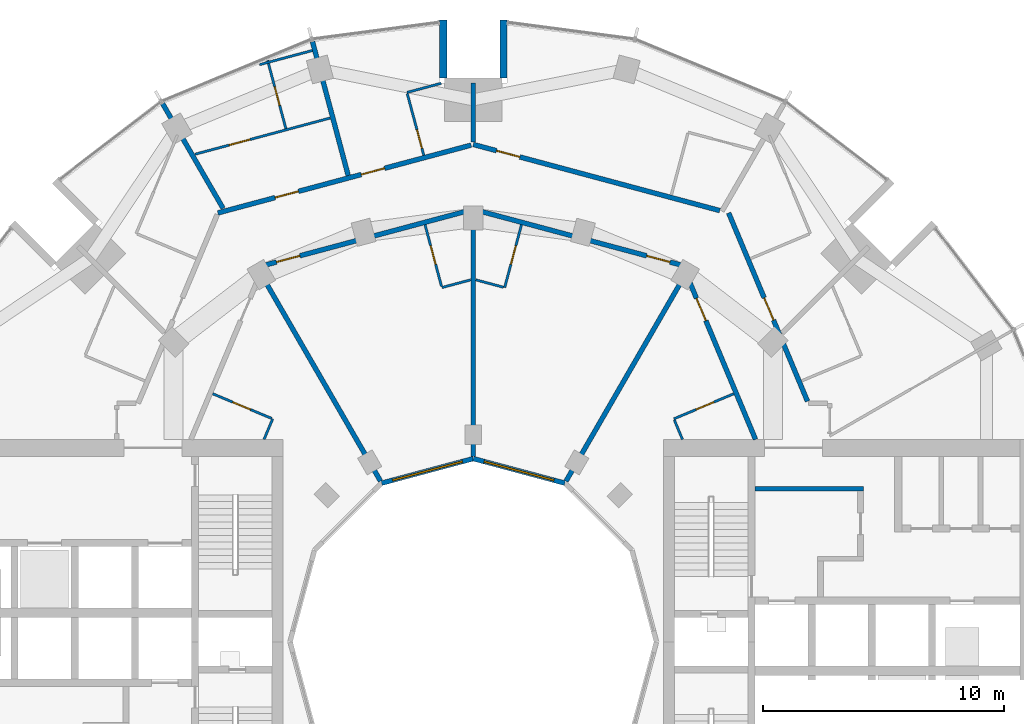
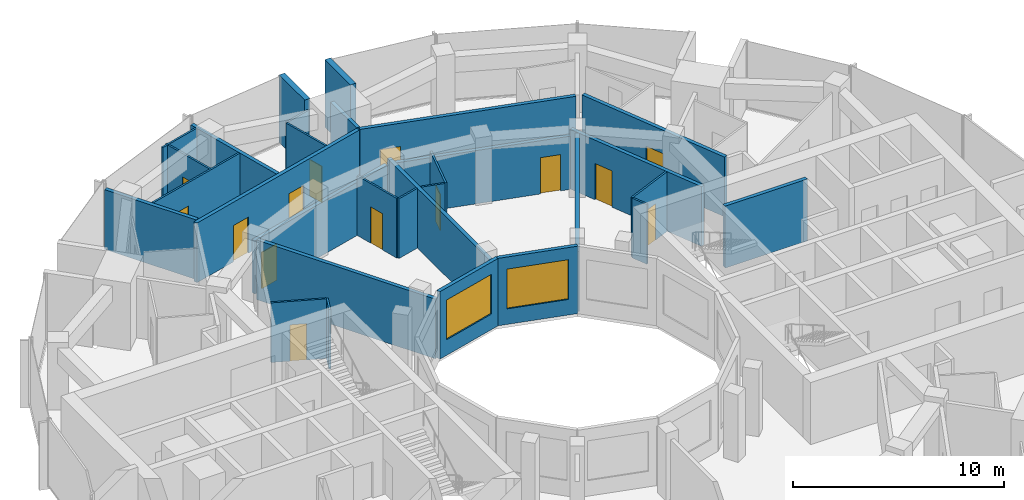
# One storey, part 12 of 15: 30 walls, 14 doors, 2 windows, 16 openings.
"""IFC4 building model written with IfcOpenShell, lengths in metres."""

from ifc_helpers import new_model, si_unit, direction, frame, frame_2d, origin, place, context, subcontext, project, spatial, rectangle, extrude, material, layer, layer_set, type_object, element, fill, save


model = new_model("IFC4")

# Units and contexts
model_context = context("Model", 3, precision=1e-05, world=origin(), true_north=direction((0.0, 1.0)))
body_context = subcontext(model_context, "Body", "Model", "MODEL_VIEW")
ifc_project = project(units=[si_unit("LENGTHUNIT", "METRE"), si_unit("AREAUNIT", "SQUARE_METRE"), si_unit("VOLUMEUNIT", "CUBIC_METRE"), si_unit("PLANEANGLEUNIT", "RADIAN"), si_unit("MASSUNIT", "GRAM", prefix="KILO")], contexts=[model_context])

# Site, building, storey
site_placement = place(None, origin())
site = spatial("IfcSite", under=ifc_project, at=site_placement, CompositionType="ELEMENT")
building_placement = place(site_placement, origin())
building = spatial("IfcBuilding", under=site, at=building_placement, Name="Torre Brocal", CompositionType="ELEMENT")
storey_placement = place(building_placement, frame((0.0, 0.0, 126.300048828125)))
storey = spatial("IfcBuildingStorey", under=building, at=storey_placement, Name="L29", CompositionType="ELEMENT", Elevation=126.300048828125)

# Walls
ifc_material_1 = material(Name="Concrete C70", Category="concrete")
ifc_layer_1 = layer(ifc_material_1, 0.199951171875)
ifc_layer_set_1 = layer_set([ifc_layer_1], Name="Concrete C70")
wall_type_1 = type_object("IfcWallType", Name="CORE WALL 200 C70", PredefinedType="SHEAR", material=ifc_layer_set_1)
wall_1_placement = place(storey_placement, frame((91.699951171875, 81.35009765625, 0.0), z_axis=(0.0, 0.0, 1.0), x_axis=(1.0, 0.0, 0.0)))
element("IfcWall", 1, at=wall_1_placement, inside=storey, type_object=wall_type_1, Name="Wall CW200-70", PredefinedType="SHEAR", context=body_context, shape_type="SweptSolid", body=[
    extrude(rectangle(XDim=4.5, YDim=0.199951171875, at=frame_2d((2.25, 0.0))), origin(), (0.0, 0.0, 1.0), 3.579833984375),
])
ifc_material_2 = material(Name="Concrete C70", Category="concrete")
ifc_layer_2 = layer(ifc_material_2, 0.300048828125)
ifc_layer_set_2 = layer_set([ifc_layer_2], Name="Concrete C70")
wall_type_2 = type_object("IfcWallType", Name="NOTCH RETURN WALL 300 C70", PredefinedType="NOTDEFINED", material=ifc_layer_set_2)
for number, where, z_axis, x_axis, name in (
    (2, (81.25, 98.39990234375, 0.0), (0.0, 0.0, 1.0), (0.0, 1.0, 0.0), "NOTCH RETURN WALL"),
    (3, (78.75, 98.39990234375, 0.0), (0.0, 0.0, 1.0), (0.0, 1.0, 0.0), "NOTCH RETURN WALL"),
):
    element("IfcWall", number, at=place(storey_placement, frame(where, z_axis=z_axis, x_axis=x_axis)), inside=storey, type_object=wall_type_2, Name=name, PredefinedType="NOTDEFINED", context=body_context, shape_type="SweptSolid", body=[
        extrude(rectangle(XDim=2.415771484375, YDim=0.300048828125, at=frame_2d((1.2080078125, 0.0))), origin(), (0.0, 0.0, 1.0), 3.89990234375),
    ])

# Wall, opening, door
ifc_material_3 = material(Name="Gypsum board", Category="Gypsum")
ifc_layer_3 = layer(ifc_material_3, 0.10009765625)
ifc_layer_set_3 = layer_set([ifc_layer_3], Name="Gypsum board")
wall_type_3 = type_object("IfcWallType", Name="PARTITION 100", PredefinedType="PARTITIONING", material=ifc_layer_set_3)
wall_2_placement = place(storey_placement, frame((68.447021484375, 95.2421875, 0.0), z_axis=(0.0, 0.0, 1.0), x_axis=(0.965958178477, 0.258698274894, 0.0)))
wall_2 = element("IfcWall", 4, at=wall_2_placement, inside=storey, type_object=wall_type_3, Name="BATHROOM WALL", PredefinedType="PARTITIONING", context=body_context, shape_type="SweptSolid", body=[
    extrude(rectangle(XDim=5.8095703125, YDim=0.10009765625, at=frame_2d((2.90478515625, 0.0))), origin(), (0.0, 0.0, 1.0), 3.449951171875),
])
opening_1_placement = place(wall_2_placement, frame((1.459716796875, 0.0, 0.0)))
opening_1 = element("IfcOpeningElement", 5, at=opening_1_placement, cuts=wall_2, Name="Opening E02-D11", PredefinedType="OPENING", context=body_context, shape_type="SweptSolid", body=[
    extrude(rectangle(XDim=0.89990234375, YDim=2.10009765625, at=frame_2d((0.449951171875, 1.050048828125))), frame((0.0, 0.06005859375, 0.0), z_axis=(0.0, -1.0, 0.0), x_axis=(1.0, 0.0, 0.0)), (0.0, 0.0, 1.0), 0.1201171875),
])
ifc_material_4 = material(Name="Timber", Category="wood")
door_type_1 = type_object("IfcDoorType", Name="ROOM DOOR 900X2100", OperationType="SINGLE_SWING_LEFT", PredefinedType="DOOR", material=ifc_material_4)
door_1_placement = place(opening_1_placement, origin())
door_1 = element("IfcDoor", 6, at=door_1_placement, inside=storey, type_object=door_type_1, Name="E02-D11", OperationType="SINGLE_SWING_RIGHT", OverallHeight=2.10009765625, OverallWidth=0.89990234375, PredefinedType="DOOR", context=body_context, shape_type="SweptSolid", body=[
    extrude(rectangle(XDim=0.89990234375, YDim=2.10009765625, at=frame_2d((0.449951171875, 1.050048828125))), frame((0.0, 0.02490234375, 0.0), z_axis=(0.0, -1.0, 0.0), x_axis=(1.0, 0.0, 0.0)), (0.0, 0.0, 1.0), 0.050048828125),
])
fill(opening_1, door_1)

wall_3_placement = place(storey_placement, frame((69.1806640625, 85.298095703125, 0.0), z_axis=(0.0, 0.0, 1.0), x_axis=(0.922377635784, -0.38628939541, 0.0)))
wall_3 = element("IfcWall", 7, at=wall_3_placement, inside=storey, type_object=wall_type_3, Name="BATHROOM WALL", PredefinedType="PARTITIONING", context=body_context, shape_type="SweptSolid", body=[
    extrude(rectangle(XDim=2.650146484375, YDim=0.10009765625, at=frame_2d((1.3251953125, 0.0))), origin(), (0.0, 0.0, 1.0), 3.449951171875),
])
opening_2_placement = place(wall_3_placement, frame((0.89990234375, 0.0, 0.0)))
opening_2 = element("IfcOpeningElement", 8, at=opening_2_placement, cuts=wall_3, Name="Opening E02-D24", PredefinedType="OPENING", context=body_context, shape_type="SweptSolid", body=[
    extrude(rectangle(XDim=0.800048828125, YDim=2.10009765625, at=frame_2d((0.39990234375, 1.050048828125))), frame((0.0, 0.06005859375, 0.0), z_axis=(0.0, -1.0, 0.0), x_axis=(1.0, 0.0, 0.0)), (0.0, 0.0, 1.0), 0.1201171875),
])
ifc_material_5 = material(Name="Timber", Category="wood")
door_type_2 = type_object("IfcDoorType", Name="BATHROOM DOOR 800X2100", OperationType="SINGLE_SWING_LEFT", PredefinedType="DOOR", material=ifc_material_5)
door_2_placement = place(opening_2_placement, frame((0.800048828125, 0.0, 0.0), z_axis=(0.0, 0.0, 1.0), x_axis=(-1.0, 0.0, 0.0)))
door_2 = element("IfcDoor", 9, at=door_2_placement, inside=storey, type_object=door_type_2, Name="E02-D24", OperationType="SINGLE_SWING_RIGHT", OverallHeight=2.10009765625, OverallWidth=0.800048828125, PredefinedType="DOOR", context=body_context, shape_type="SweptSolid", body=[
    extrude(rectangle(XDim=0.800048828125, YDim=2.10009765625, at=frame_2d((0.39990234375, 1.050048828125))), frame((0.0, 0.02490234375, 0.0), z_axis=(0.0, -1.0, 0.0), x_axis=(1.0, 0.0, 0.0)), (0.0, 0.0, 1.0), 0.050048828125),
])
fill(opening_2, door_2)

# Wall
wall_4_placement = place(storey_placement, frame((71.31298828125, 83.39990234375, 0.0), z_axis=(0.0, 0.0, 1.0), x_axis=(0.386148512695, 0.922436624459, 0.0)))
element("IfcWall", 10, at=wall_4_placement, inside=storey, type_object=wall_type_3, Name="BATHROOM WALL", PredefinedType="PARTITIONING", context=body_context, shape_type="SweptSolid", body=[
    extrude(rectangle(XDim=0.9267578125, YDim=0.10009765625, at=frame_2d((0.46337890625, 0.0))), origin(), (0.0, 0.0, 1.0), 3.449951171875),
])

# Wall, opening, door
wall_5_placement = place(storey_placement, frame((71.459228515625, 99.14697265625, 0.0), z_axis=(0.0, 0.0, 1.0), x_axis=(0.258550824249, -0.965997655939, 0.0)))
wall_5 = element("IfcWall", 11, at=wall_5_placement, inside=storey, type_object=wall_type_3, Name="BATHROOM WALL", PredefinedType="PARTITIONING", context=body_context, shape_type="SweptSolid", body=[
    extrude(rectangle(XDim=2.9423828125, YDim=0.10009765625, at=frame_2d((1.47119140625, 0.0))), origin(), (0.0, 0.0, 1.0), 3.449951171875),
])
opening_3_placement = place(wall_5_placement, frame((1.142578125, 0.0, 0.0)))
opening_3 = element("IfcOpeningElement", 12, at=opening_3_placement, cuts=wall_5, Name="Opening E02-D12", PredefinedType="OPENING", context=body_context, shape_type="SweptSolid", body=[
    extrude(rectangle(XDim=0.800048828125, YDim=2.10009765625, at=frame_2d((0.39990234375, 1.050048828125))), frame((0.0, 0.06005859375, 0.0), z_axis=(0.0, -1.0, 0.0), x_axis=(1.0, 0.0, 0.0)), (0.0, 0.0, 1.0), 0.1201171875),
])
door_3_placement = place(opening_3_placement, origin())
door_3 = element("IfcDoor", 13, at=door_3_placement, inside=storey, type_object=door_type_2, Name="E02-D12", OperationType="SINGLE_SWING_RIGHT", OverallHeight=2.10009765625, OverallWidth=0.800048828125, PredefinedType="DOOR", context=body_context, shape_type="SweptSolid", body=[
    extrude(rectangle(XDim=0.800048828125, YDim=2.10009765625, at=frame_2d((0.39990234375, 1.050048828125))), frame((0.0, 0.02490234375, 0.0), z_axis=(0.0, -1.0, 0.0), x_axis=(1.0, 0.0, 0.0)), (0.0, 0.0, 1.0), 0.050048828125),
])
fill(opening_3, door_3)

# Wall
wall_6_placement = place(storey_placement, frame((71.12646484375, 98.962646484375, 0.0), z_axis=(0.0, 0.0, 1.0), x_axis=(0.966023883118, 0.258452814352, 0.0)))
element("IfcWall", 14, at=wall_6_placement, inside=storey, type_object=wall_type_3, Name="BATHROOM WALL", PredefinedType="PARTITIONING", context=body_context, shape_type="SweptSolid", body=[
    extrude(rectangle(XDim=2.26904296875, YDim=0.10009765625, at=frame_2d((1.134521484375, 0.0))), origin(), (0.0, 0.0, 1.0), 3.449951171875),
])

# Wall, opening, door
wall_7_placement = place(storey_placement, frame((77.260009765625, 97.7587890625, 0.0), z_axis=(0.0, 0.0, 1.0), x_axis=(0.258935674139, -0.965894568086, 0.0)))
wall_7 = element("IfcWall", 15, at=wall_7_placement, inside=storey, type_object=wall_type_3, Name="BATHROOM WALL", PredefinedType="PARTITIONING", context=body_context, shape_type="SweptSolid", body=[
    extrude(rectangle(XDim=2.6494140625, YDim=0.10009765625, at=frame_2d((1.32470703125, 0.0))), origin(), (0.0, 0.0, 1.0), 3.449951171875),
])
opening_4_placement = place(wall_7_placement, frame((1.5498046875, 0.0, 0.0)))
opening_4 = element("IfcOpeningElement", 16, at=opening_4_placement, cuts=wall_7, Name="Opening E02-D09", PredefinedType="OPENING", context=body_context, shape_type="SweptSolid", body=[
    extrude(rectangle(XDim=0.800048828125, YDim=2.10009765625, at=frame_2d((0.39990234375, 1.050048828125))), frame((0.0, 0.06005859375, 0.0), z_axis=(0.0, -1.0, 0.0), x_axis=(1.0, 0.0, 0.0)), (0.0, 0.0, 1.0), 0.1201171875),
])
door_4_placement = place(opening_4_placement, origin())
door_4 = element("IfcDoor", 17, at=door_4_placement, inside=storey, type_object=door_type_2, Name="E02-D09", OperationType="SINGLE_SWING_RIGHT", OverallHeight=2.10009765625, OverallWidth=0.800048828125, PredefinedType="DOOR", context=body_context, shape_type="SweptSolid", body=[
    extrude(rectangle(XDim=0.800048828125, YDim=2.10009765625, at=frame_2d((0.39990234375, 1.050048828125))), frame((0.0, 0.02490234375, 0.0), z_axis=(0.0, -1.0, 0.0), x_axis=(1.0, 0.0, 0.0)), (0.0, 0.0, 1.0), 0.050048828125),
])
fill(opening_4, door_4)

# Wall
wall_8_placement = place(storey_placement, frame((77.2470703125, 97.806884765625, 0.0), z_axis=(0.0, 0.0, 1.0), x_axis=(0.965900598974, 0.258913176376, 0.0)))
element("IfcWall", 18, at=wall_8_placement, inside=storey, type_object=wall_type_3, Name="BATHROOM WALL", PredefinedType="PARTITIONING", context=body_context, shape_type="SweptSolid", body=[
    extrude(rectangle(XDim=1.469970703125, YDim=0.10009765625, at=frame_2d((0.73486328125, 0.0))), origin(), (0.0, 0.0, 1.0), 3.449951171875),
])

# Wall, opening, door
wall_9_placement = place(storey_placement, frame((77.997802734375, 92.314208984375, 0.0), z_axis=(0.0, 0.0, 1.0), x_axis=(0.258608674509, -0.965982170368, 0.0)))
wall_9 = element("IfcWall", 19, at=wall_9_placement, inside=storey, type_object=wall_type_3, Name="BATHROOM WALL", PredefinedType="PARTITIONING", context=body_context, shape_type="SweptSolid", body=[
    extrude(rectangle(XDim=2.64990234375, YDim=0.10009765625, at=frame_2d((1.324951171875, 0.0))), origin(), (0.0, 0.0, 1.0), 3.449951171875),
])
opening_5_placement = place(wall_9_placement, frame((0.89990234375, 0.0, 0.0)))
opening_5 = element("IfcOpeningElement", 20, at=opening_5_placement, cuts=wall_9, Name="Opening E02-D22", PredefinedType="OPENING", context=body_context, shape_type="SweptSolid", body=[
    extrude(rectangle(XDim=0.800048828125, YDim=2.10009765625, at=frame_2d((0.39990234375, 1.050048828125))), frame((0.0, 0.06005859375, 0.0), z_axis=(0.0, -1.0, 0.0), x_axis=(1.0, 0.0, 0.0)), (0.0, 0.0, 1.0), 0.1201171875),
])
door_5_placement = place(opening_5_placement, origin())
door_5 = element("IfcDoor", 21, at=door_5_placement, inside=storey, type_object=door_type_2, Name="E02-D22", OperationType="SINGLE_SWING_LEFT", OverallHeight=2.10009765625, OverallWidth=0.800048828125, PredefinedType="DOOR", context=body_context, shape_type="SweptSolid", body=[
    extrude(rectangle(XDim=0.800048828125, YDim=2.10009765625, at=frame_2d((0.39990234375, 1.050048828125))), frame((0.0, 0.02490234375, 0.0), z_axis=(0.0, -1.0, 0.0), x_axis=(1.0, 0.0, 0.0)), (0.0, 0.0, 1.0), 0.050048828125),
])
fill(opening_5, door_5)

# Walls
wall_10_placement = place(storey_placement, frame((78.696044921875, 89.7060546875, 0.0), z_axis=(0.0, 0.0, 1.0), x_axis=(0.966002513606, 0.258532674351, 0.0)))
element("IfcWall", 22, at=wall_10_placement, inside=storey, type_object=wall_type_3, Name="BATHROOM WALL", PredefinedType="PARTITIONING", context=body_context, shape_type="SweptSolid", body=[
    extrude(rectangle(XDim=1.239990234375, YDim=0.10009765625, at=frame_2d((0.6201171875, 0.0))), origin(), (0.0, 0.0, 1.0), 3.449951171875),
])
wall_11_placement = place(storey_placement, frame((80.106201171875, 90.026611328125, 0.0), z_axis=(0.0, 0.0, 1.0), x_axis=(0.966002973184, -0.258530957139, 0.0)))
element("IfcWall", 23, at=wall_11_placement, inside=storey, type_object=wall_type_3, Name="BATHROOM WALL", PredefinedType="PARTITIONING", context=body_context, shape_type="SweptSolid", body=[
    extrude(rectangle(XDim=1.18994140625, YDim=0.10009765625, at=frame_2d((0.594970703125, 0.0))), origin(), (0.0, 0.0, 1.0), 3.449951171875),
])

# Wall, opening, door
wall_12_placement = place(storey_placement, frame((81.303955078125, 89.7060546875, 0.0), z_axis=(0.0, 0.0, 1.0), x_axis=(0.258608022684, 0.965982344872, 0.0)))
wall_12 = element("IfcWall", 24, at=wall_12_placement, inside=storey, type_object=wall_type_3, Name="BATHROOM WALL", PredefinedType="PARTITIONING", context=body_context, shape_type="SweptSolid", body=[
    extrude(rectangle(XDim=2.699951171875, YDim=0.10009765625, at=frame_2d((1.35009765625, 0.0))), origin(), (0.0, 0.0, 1.0), 3.449951171875),
])
opening_6_placement = place(wall_12_placement, frame((1.0, 0.0, 0.0)))
opening_6 = element("IfcOpeningElement", 25, at=opening_6_placement, cuts=wall_12, Name="Opening E02-D20", PredefinedType="OPENING", context=body_context, shape_type="SweptSolid", body=[
    extrude(rectangle(XDim=0.800048828125, YDim=2.10009765625, at=frame_2d((0.39990234375, 1.050048828125))), frame((0.0, 0.06005859375, 0.0), z_axis=(0.0, -1.0, 0.0), x_axis=(1.0, 0.0, 0.0)), (0.0, 0.0, 1.0), 0.1201171875),
])
door_6_placement = place(opening_6_placement, origin())
door_6 = element("IfcDoor", 26, at=door_6_placement, inside=storey, type_object=door_type_2, Name="E02-D20", OperationType="SINGLE_SWING_RIGHT", OverallHeight=2.10009765625, OverallWidth=0.800048828125, PredefinedType="DOOR", context=body_context, shape_type="SweptSolid", body=[
    extrude(rectangle(XDim=0.800048828125, YDim=2.10009765625, at=frame_2d((0.39990234375, 1.050048828125))), frame((0.0, 0.02490234375, 0.0), z_axis=(0.0, -1.0, 0.0), x_axis=(1.0, 0.0, 0.0)), (0.0, 0.0, 1.0), 0.050048828125),
])
fill(opening_6, door_6)

# Wall
wall_13_placement = place(storey_placement, frame((88.348388671875, 84.208984375, 0.0), z_axis=(0.0, 0.0, 1.0), x_axis=(0.386077497504, -0.922466349479, 0.0)))
element("IfcWall", 27, at=wall_13_placement, inside=storey, type_object=wall_type_3, Name="BATHROOM WALL", PredefinedType="PARTITIONING", context=body_context, shape_type="SweptSolid", body=[
    extrude(rectangle(XDim=0.877197265625, YDim=0.10009765625, at=frame_2d((0.4384765625, 0.0))), origin(), (0.0, 0.0, 1.0), 3.449951171875),
])

# Wall, opening, door
wall_14_placement = place(storey_placement, frame((88.3291015625, 84.2548828125, 0.0), z_axis=(0.0, 0.0, 1.0), x_axis=(0.922320663728, 0.386425404522, 0.0)))
wall_14 = element("IfcWall", 28, at=wall_14_placement, inside=storey, type_object=wall_type_3, Name="BATHROOM WALL", PredefinedType="PARTITIONING", context=body_context, shape_type="SweptSolid", body=[
    extrude(rectangle(XDim=2.690185546875, YDim=0.10009765625, at=frame_2d((1.34521484375, 0.0))), origin(), (0.0, 0.0, 1.0), 3.449951171875),
])
opening_7_placement = place(wall_14_placement, frame((1.000244140625, 0.0, 0.0)))
opening_7 = element("IfcOpeningElement", 29, at=opening_7_placement, cuts=wall_14, Name="Opening E02-D18", PredefinedType="OPENING", context=body_context, shape_type="SweptSolid", body=[
    extrude(rectangle(XDim=0.800048828125, YDim=2.10009765625, at=frame_2d((0.39990234375, 1.050048828125))), frame((0.0, 0.06005859375, 0.0), z_axis=(0.0, -1.0, 0.0), x_axis=(1.0, 0.0, 0.0)), (0.0, 0.0, 1.0), 0.1201171875),
])
door_7_placement = place(opening_7_placement, frame((0.800048828125, 0.0, 0.0), z_axis=(0.0, 0.0, 1.0), x_axis=(-1.0, 0.0, 0.0)))
door_7 = element("IfcDoor", 30, at=door_7_placement, inside=storey, type_object=door_type_2, Name="E02-D18", OperationType="SINGLE_SWING_LEFT", OverallHeight=2.10009765625, OverallWidth=0.800048828125, PredefinedType="DOOR", context=body_context, shape_type="SweptSolid", body=[
    extrude(rectangle(XDim=0.800048828125, YDim=2.10009765625, at=frame_2d((0.39990234375, 1.050048828125))), frame((0.0, 0.02490234375, 0.0), z_axis=(0.0, -1.0, 0.0), x_axis=(1.0, 0.0, 0.0)), (0.0, 0.0, 1.0), 0.050048828125),
])
fill(opening_7, door_7)

# Wall
ifc_material_6 = material(Name="Gypsum board", Category="Gypsum")
ifc_layer_4 = layer(ifc_material_6, 0.199951171875)
ifc_layer_set_4 = layer_set([ifc_layer_4], Name="Gypsum board")
wall_type_4 = type_object("IfcWallType", Name="PARTITION 200 EI60", PredefinedType="PARTITIONING", material=ifc_layer_set_4)
wall_15_placement = place(storey_placement, frame((67.103515625, 97.3427734375, 0.0), z_axis=(0.0, 0.0, 1.0), x_axis=(0.499893606134, -0.866086821598, 0.0)))
element("IfcWall", 31, at=wall_15_placement, inside=storey, type_object=wall_type_4, Name="BATHROOM WALL", PredefinedType="PARTITIONING", context=body_context, shape_type="SweptSolid", body=[
    extrude(rectangle(XDim=5.021484375, YDim=0.199951171875, at=frame_2d((2.5107421875, 0.0))), origin(), (0.0, 0.0, 1.0), 3.449951171875),
])

# Wall, openings, doors
wall_16_placement = place(storey_placement, frame((69.39697265625, 92.805419921875, 0.0), z_axis=(0.0, 0.0, 1.0), x_axis=(0.965971666602, 0.258647906087, 0.0)))
wall_16 = element("IfcWall", 32, at=wall_16_placement, inside=storey, type_object=wall_type_4, Name="FLAT ENTRANCE WALL", PredefinedType="PARTITIONING", context=body_context, shape_type="SweptSolid", body=[
    extrude(rectangle(XDim=10.886962890625, YDim=0.199951171875, at=frame_2d((5.443359375, 0.0))), origin(), (0.0, 0.0, 1.0), 3.449951171875),
])
opening_8_placement = place(wall_16_placement, frame((6.163330078125, 0.0, 0.0)))
opening_8 = element("IfcOpeningElement", 33, at=opening_8_placement, cuts=wall_16, Name="Opening E02-D08", PredefinedType="OPENING", context=body_context, shape_type="SweptSolid", body=[
    extrude(rectangle(XDim=1.0, YDim=2.10009765625, at=frame_2d((0.5, 1.050048828125))), frame((0.0, 0.10986328125, 0.0), z_axis=(0.0, -1.0, 0.0), x_axis=(1.0, 0.0, 0.0)), (0.0, 0.0, 1.0), 0.219970703125),
])
opening_9_placement = place(wall_16_placement, frame((2.4609375, 0.0, 0.0)))
opening_9 = element("IfcOpeningElement", 34, at=opening_9_placement, cuts=wall_16, Name="Opening E02-D10", PredefinedType="OPENING", context=body_context, shape_type="SweptSolid", body=[
    extrude(rectangle(XDim=1.0, YDim=2.10009765625, at=frame_2d((0.5, 1.050048828125))), frame((0.0, 0.10986328125, 0.0), z_axis=(0.0, -1.0, 0.0), x_axis=(1.0, 0.0, 0.0)), (0.0, 0.0, 1.0), 0.219970703125),
])
ifc_material_7 = material(Name="Timber", Category="wood")
door_type_3 = type_object("IfcDoorType", Name="FLAT ENTRY DOOR FD30S 1000X2100", OperationType="SINGLE_SWING_RIGHT", PredefinedType="DOOR", material=ifc_material_7)
door_8_placement = place(opening_8_placement, origin())
door_8 = element("IfcDoor", 35, at=door_8_placement, inside=storey, type_object=door_type_3, Name="E02-D08", OperationType="SINGLE_SWING_LEFT", OverallHeight=2.10009765625, OverallWidth=1.0, PredefinedType="DOOR", context=body_context, shape_type="SweptSolid", body=[
    extrude(rectangle(XDim=1.0, YDim=2.10009765625, at=frame_2d((0.5, 1.050048828125))), frame((0.0, 0.02490234375, 0.0), z_axis=(0.0, -1.0, 0.0), x_axis=(1.0, 0.0, 0.0)), (0.0, 0.0, 1.0), 0.050048828125),
])
fill(opening_8, door_8)
door_9_placement = place(opening_9_placement, origin())
door_9 = element("IfcDoor", 36, at=door_9_placement, inside=storey, type_object=door_type_3, Name="E02-D10", OperationType="SINGLE_SWING_RIGHT", OverallHeight=2.10009765625, OverallWidth=1.0, PredefinedType="DOOR", context=body_context, shape_type="SweptSolid", body=[
    extrude(rectangle(XDim=1.0, YDim=2.10009765625, at=frame_2d((0.5, 1.050048828125))), frame((0.0, 0.02490234375, 0.0), z_axis=(0.0, -1.0, 0.0), x_axis=(1.0, 0.0, 0.0)), (0.0, 0.0, 1.0), 0.050048828125),
])
fill(opening_9, door_9)

# Walls
wall_17_placement = place(storey_placement, frame((71.263427734375, 90.13525390625, 0.0), z_axis=(0.0, 0.0, 1.0), x_axis=(0.499869438034, -0.86610077065, 0.0)))
element("IfcWall", 37, at=wall_17_placement, inside=storey, type_object=wall_type_4, Name="PARTY PARTITION", PredefinedType="PARTITIONING", context=body_context, shape_type="SweptSolid", body=[
    extrude(rectangle(XDim=9.77734375, YDim=0.199951171875, at=frame_2d((4.888671875, 0.0))), origin(), (0.0, 0.0, 1.0), 3.449951171875),
])
wall_18_placement = place(storey_placement, frame((73.32373046875, 99.91943359375, 0.0), z_axis=(0.0, 0.0, 1.0), x_axis=(0.257855371794, -0.966183526685, 0.0)))
element("IfcWall", 38, at=wall_18_placement, inside=storey, type_object=wall_type_4, Name="BATHROOM WALL", PredefinedType="PARTITIONING", context=body_context, shape_type="SweptSolid", body=[
    extrude(rectangle(XDim=5.755615234375, YDim=0.199951171875, at=frame_2d((2.8779296875, 0.0))), origin(), (0.0, 0.0, 1.0), 3.449951171875),
])
wall_19_placement = place(storey_placement, frame((80.0, 82.698974609375, 0.0), z_axis=(0.0, 0.0, 1.0), x_axis=(0.0, 1.0, 0.0)))
element("IfcWall", 39, at=wall_19_placement, inside=storey, type_object=wall_type_4, Name="BATHROOM WALL", PredefinedType="PARTITIONING", context=body_context, shape_type="SweptSolid", body=[
    extrude(rectangle(XDim=10.125, YDim=0.199951171875, at=frame_2d((5.0625, 0.0))), origin(), (0.0, 0.0, 1.0), 3.449951171875),
])
wall_20_placement = place(storey_placement, frame((80.0, 95.7470703125, 0.0), z_axis=(0.0, 0.0, 1.0), x_axis=(0.0, 1.0, 0.0)))
element("IfcWall", 40, at=wall_20_placement, inside=storey, type_object=wall_type_4, Name="BATHROOM WALL", PredefinedType="PARTITIONING", context=body_context, shape_type="SweptSolid", body=[
    extrude(rectangle(XDim=2.451904296875, YDim=0.199951171875, at=frame_2d((1.22607421875, 0.0))), origin(), (0.0, 0.0, 1.0), 3.449951171875),
])

# Wall, opening, door
wall_21_placement = place(storey_placement, frame((80.00048828125, 95.64794921875, 0.0), z_axis=(0.0, 0.0, 1.0), x_axis=(0.965852259202, -0.259093445292, 0.0)))
wall_21 = element("IfcWall", 41, at=wall_21_placement, inside=storey, type_object=wall_type_4, Name="GUESTROOM CORRIDOR WALL", PredefinedType="PARTITIONING", context=body_context, shape_type="SweptSolid", body=[
    extrude(rectangle(XDim=10.596923828125, YDim=0.199951171875, at=frame_2d((5.29833984375, 0.0))), origin(), (0.0, 0.0, 1.0), 3.449951171875),
])
opening_10_placement = place(wall_21_placement, frame((1.0, 0.0, 0.0)))
opening_10 = element("IfcOpeningElement", 42, at=opening_10_placement, cuts=wall_21, Name="Opening E02-D06", PredefinedType="OPENING", context=body_context, shape_type="SweptSolid", body=[
    extrude(rectangle(XDim=1.0, YDim=2.10009765625, at=frame_2d((0.5, 1.050048828125))), frame((0.0, 0.10986328125, 0.0), z_axis=(0.0, -1.0, 0.0), x_axis=(1.0, 0.0, 0.0)), (0.0, 0.0, 1.0), 0.219970703125),
])
door_10_placement = place(opening_10_placement, origin())
door_10 = element("IfcDoor", 43, at=door_10_placement, inside=storey, type_object=door_type_3, Name="E02-D06", OperationType="SINGLE_SWING_LEFT", OverallHeight=2.10009765625, OverallWidth=1.0, PredefinedType="DOOR", context=body_context, shape_type="SweptSolid", body=[
    extrude(rectangle(XDim=1.0, YDim=2.10009765625, at=frame_2d((0.5, 1.050048828125))), frame((0.0, 0.02490234375, 0.0), z_axis=(0.0, -1.0, 0.0), x_axis=(1.0, 0.0, 0.0)), (0.0, 0.0, 1.0), 0.050048828125),
])
fill(opening_10, door_10)

# Wall
wall_22_placement = place(storey_placement, frame((83.849609375, 81.666748046875, 0.0), z_axis=(0.0, 0.0, 1.0), x_axis=(0.500092047414, 0.865972253663, 0.0)))
element("IfcWall", 44, at=wall_22_placement, inside=storey, type_object=wall_type_4, Name="PARTY PARTITION", PredefinedType="PARTITIONING", context=body_context, shape_type="SweptSolid", body=[
    extrude(rectangle(XDim=9.777587890625, YDim=0.199951171875, at=frame_2d((4.888671875, 0.0))), origin(), (0.0, 0.0, 1.0), 3.449951171875),
])

# Wall, opening, door
wall_23_placement = place(storey_placement, frame((88.69775390625, 90.624267578125, 0.0), z_axis=(0.0, 0.0, 1.0), x_axis=(0.386027055918, -0.922487459047, 0.0)))
wall_23 = element("IfcWall", 45, at=wall_23_placement, inside=storey, type_object=wall_type_4, Name="GUESTROOM CORRIDOR WALL", PredefinedType="PARTITIONING", context=body_context, shape_type="SweptSolid", body=[
    extrude(rectangle(XDim=7.832275390625, YDim=0.199951171875, at=frame_2d((3.916015625, 0.0))), origin(), (0.0, 0.0, 1.0), 3.449951171875),
])
opening_11_placement = place(wall_23_placement, frame((1.481689453125, 0.0, 0.0)))
opening_11 = element("IfcOpeningElement", 46, at=opening_11_placement, cuts=wall_23, Name="Opening E02-D17", PredefinedType="OPENING", context=body_context, shape_type="SweptSolid", body=[
    extrude(rectangle(XDim=1.0, YDim=2.10009765625, at=frame_2d((0.5, 1.050048828125))), frame((0.0, 0.10986328125, 0.0), z_axis=(0.0, -1.0, 0.0), x_axis=(1.0, 0.0, 0.0)), (0.0, 0.0, 1.0), 0.219970703125),
])
door_11_placement = place(opening_11_placement, frame((1.0, 0.0, 0.0), z_axis=(0.0, 0.0, 1.0), x_axis=(-1.0, 0.0, 0.0)))
door_11 = element("IfcDoor", 47, at=door_11_placement, inside=storey, type_object=door_type_3, Name="E02-D17", OperationType="SINGLE_SWING_RIGHT", OverallHeight=2.10009765625, OverallWidth=1.0, PredefinedType="DOOR", context=body_context, shape_type="SweptSolid", body=[
    extrude(rectangle(XDim=1.0, YDim=2.10009765625, at=frame_2d((0.5, 1.050048828125))), frame((0.0, 0.02490234375, 0.0), z_axis=(0.0, -1.0, 0.0), x_axis=(1.0, 0.0, 0.0)), (0.0, 0.0, 1.0), 0.050048828125),
])
fill(opening_11, door_11)

wall_24_placement = place(storey_placement, frame((90.603515625, 92.80517578125, 0.0), z_axis=(0.0, 0.0, 1.0), x_axis=(0.386199042801, -0.922415470024, 0.0)))
wall_24 = element("IfcWall", 48, at=wall_24_placement, inside=storey, type_object=wall_type_4, Name="GUESTROOM CORRIDOR WALL", PredefinedType="PARTITIONING", context=body_context, shape_type="SweptSolid", body=[
    extrude(rectangle(XDim=8.48046875, YDim=0.199951171875, at=frame_2d((4.240234375, 0.0))), origin(), (0.0, 0.0, 1.0), 3.449951171875),
])
opening_12_placement = place(wall_24_placement, frame((3.822998046875, 0.0, 0.0)))
opening_12 = element("IfcOpeningElement", 49, at=opening_12_placement, cuts=wall_24, Name="Opening E02-D04", PredefinedType="OPENING", context=body_context, shape_type="SweptSolid", body=[
    extrude(rectangle(XDim=1.0, YDim=2.10009765625, at=frame_2d((0.5, 1.050048828125))), frame((0.0, 0.10986328125, 0.0), z_axis=(0.0, -1.0, 0.0), x_axis=(1.0, 0.0, 0.0)), (0.0, 0.0, 1.0), 0.219970703125),
])
door_12_placement = place(opening_12_placement, origin())
door_12 = element("IfcDoor", 50, at=door_12_placement, inside=storey, type_object=door_type_3, Name="E02-D04", OperationType="SINGLE_SWING_RIGHT", OverallHeight=2.10009765625, OverallWidth=1.0, PredefinedType="DOOR", context=body_context, shape_type="SweptSolid", body=[
    extrude(rectangle(XDim=1.0, YDim=2.10009765625, at=frame_2d((0.5, 1.050048828125))), frame((0.0, 0.02490234375, 0.0), z_axis=(0.0, -1.0, 0.0), x_axis=(1.0, 0.0, 0.0)), (0.0, 0.0, 1.0), 0.050048828125),
])
fill(opening_12, door_12)

ifc_material_8 = material(Name="Gypsum board", Category="Gypsum")
ifc_layer_5 = layer(ifc_material_8, 0.199951171875)
ifc_layer_set_5 = layer_set([ifc_layer_5], Name="Gypsum board")
wall_type_5 = type_object("IfcWallType", Name="PARTITION 200 EI60 UNDER BEAM 820", PredefinedType="PARTITIONING", material=ifc_layer_set_5)
wall_25_placement = place(storey_placement, frame((71.302734375, 90.62451171875, 0.0), z_axis=(0.0, 0.0, 1.0), x_axis=(0.965971868307, 0.258647152776, 0.0)))
wall_25 = element("IfcWall", 51, at=wall_25_placement, inside=storey, type_object=wall_type_5, Name="GUESTROOM CORRIDOR WALL", PredefinedType="PARTITIONING", context=body_context, shape_type="SweptSolid", body=[
    extrude(rectangle(XDim=8.873779296875, YDim=0.199951171875, at=frame_2d((4.43701171875, 0.0))), origin(), (0.0, 0.0, 1.0), 3.079833984375),
])
opening_13_placement = place(wall_25_placement, frame((0.550048828125, 0.0, 0.0)))
opening_13 = element("IfcOpeningElement", 52, at=opening_13_placement, cuts=wall_25, Name="Opening E02-D21", PredefinedType="OPENING", context=body_context, shape_type="SweptSolid", body=[
    extrude(rectangle(XDim=1.0, YDim=2.10009765625, at=frame_2d((0.5, 1.050048828125))), frame((0.0, 0.10986328125, 0.0), z_axis=(0.0, -1.0, 0.0), x_axis=(1.0, 0.0, 0.0)), (0.0, 0.0, 1.0), 0.219970703125),
])
door_13_placement = place(opening_13_placement, frame((1.0, 0.0, 0.0), z_axis=(0.0, 0.0, 1.0), x_axis=(-1.0, 0.0, 0.0)))
door_13 = element("IfcDoor", 53, at=door_13_placement, inside=storey, type_object=door_type_3, Name="E02-D21", OperationType="SINGLE_SWING_RIGHT", OverallHeight=2.10009765625, OverallWidth=1.0, PredefinedType="DOOR", context=body_context, shape_type="SweptSolid", body=[
    extrude(rectangle(XDim=1.0, YDim=2.10009765625, at=frame_2d((0.5, 1.050048828125))), frame((0.0, 0.02490234375, 0.0), z_axis=(0.0, -1.0, 0.0), x_axis=(1.0, 0.0, 0.0)), (0.0, 0.0, 1.0), 0.050048828125),
])
fill(opening_13, door_13)

wall_26_placement = place(storey_placement, frame((80.0, 92.9541015625, 0.0), z_axis=(0.0, 0.0, 1.0), x_axis=(0.96592536278, -0.258820774936, 0.0)))
wall_26 = element("IfcWall", 54, at=wall_26_placement, inside=storey, type_object=wall_type_5, Name="GUESTROOM CORRIDOR WALL", PredefinedType="PARTITIONING", context=body_context, shape_type="SweptSolid", body=[
    extrude(rectangle(XDim=8.933837890625, YDim=0.199951171875, at=frame_2d((4.466796875, 0.0))), origin(), (0.0, 0.0, 1.0), 3.079833984375),
])
opening_14_placement = place(wall_26_placement, frame((7.45361328125, 0.0, 0.0)))
opening_14 = element("IfcOpeningElement", 55, at=opening_14_placement, cuts=wall_26, Name="Opening E02-D19", PredefinedType="OPENING", context=body_context, shape_type="SweptSolid", body=[
    extrude(rectangle(XDim=1.0, YDim=2.10009765625, at=frame_2d((0.5, 1.050048828125))), frame((0.0, 0.10986328125, 0.0), z_axis=(0.0, -1.0, 0.0), x_axis=(1.0, 0.0, 0.0)), (0.0, 0.0, 1.0), 0.219970703125),
])
door_14_placement = place(opening_14_placement, frame((1.0, 0.0, 0.0), z_axis=(0.0, 0.0, 1.0), x_axis=(-1.0, 0.0, 0.0)))
door_14 = element("IfcDoor", 56, at=door_14_placement, inside=storey, type_object=door_type_3, Name="E02-D19", OperationType="SINGLE_SWING_LEFT", OverallHeight=2.10009765625, OverallWidth=1.0, PredefinedType="DOOR", context=body_context, shape_type="SweptSolid", body=[
    extrude(rectangle(XDim=1.0, YDim=2.10009765625, at=frame_2d((0.5, 1.050048828125))), frame((0.0, 0.02490234375, 0.0), z_axis=(0.0, -1.0, 0.0), x_axis=(1.0, 0.0, 0.0)), (0.0, 0.0, 1.0), 0.050048828125),
])
fill(opening_14, door_14)

# Wall, opening, window
ifc_material_9 = material(Name="Concrete C40", Category="concrete")
ifc_layer_6 = layer(ifc_material_9, 0.199951171875)
ifc_layer_set_6 = layer_set([ifc_layer_6], Name="Concrete C40")
wall_type_6 = type_object("IfcWallType", Name="WELL FACADE WALL 200", PredefinedType="NOTDEFINED", material=ifc_layer_set_6)
wall_27_placement = place(storey_placement, frame((83.8017578125, 81.5849609375, 0.0), z_axis=(0.0, 0.0, 1.0), x_axis=(-0.965933654434, 0.258789828301, 0.0)))
wall_27 = element("IfcWall", 57, at=wall_27_placement, inside=storey, type_object=wall_type_6, Name="WELL FACADE WALL", PredefinedType="NOTDEFINED", context=body_context, shape_type="SweptSolid", body=[
    extrude(rectangle(XDim=3.935791015625, YDim=0.199951171875, at=frame_2d((1.9677734375, 0.0))), origin(), (0.0, 0.0, 1.0), 3.89990234375),
])
opening_15_placement = place(wall_27_placement, frame((0.468017578125, 0.0, 0.89990234375)))
opening_15 = element("IfcOpeningElement", 58, at=opening_15_placement, cuts=wall_27, Name="Opening W1", PredefinedType="OPENING", context=body_context, shape_type="SweptSolid", body=[
    extrude(rectangle(XDim=3.0, YDim=2.300048828125, at=frame_2d((1.5, 1.14990234375))), frame((0.0, 0.10986328125, 0.0), z_axis=(0.0, -1.0, 0.0), x_axis=(1.0, 0.0, 0.0)), (0.0, 0.0, 1.0), 0.219970703125),
])
ifc_material_10 = material(Name="Aluminium and glass", Category="aluminium")
window_type = type_object("IfcWindowType", Name="WELL WINDOW 3000X2300", PartitioningType="SINGLE_PANEL", PredefinedType="WINDOW", material=ifc_material_10)
window_1_placement = place(opening_15_placement, origin())
window_1 = element("IfcWindow", 59, at=window_1_placement, inside=storey, type_object=window_type, Name="WELL WINDOW 3000X2300", OverallHeight=2.300048828125, OverallWidth=3.0, PartitioningType="SINGLE_PANEL", PredefinedType="WINDOW", context=body_context, shape_type="SweptSolid", body=[
    extrude(rectangle(XDim=3.0, YDim=2.300048828125, at=frame_2d((1.5, 1.14990234375))), frame((0.0, 0.030029296875, 0.0), z_axis=(0.0, -1.0, 0.0), x_axis=(1.0, 0.0, 0.0)), (0.0, 0.0, 1.0), 0.06005859375),
])
fill(opening_15, window_1)

wall_28_placement = place(storey_placement, frame((80.0, 82.603515625, 0.0), z_axis=(0.0, 0.0, 1.0), x_axis=(-0.965933654434, -0.258789828301, 0.0)))
wall_28 = element("IfcWall", 60, at=wall_28_placement, inside=storey, type_object=wall_type_6, Name="WELL FACADE WALL", PredefinedType="NOTDEFINED", context=body_context, shape_type="SweptSolid", body=[
    extrude(rectangle(XDim=3.935791015625, YDim=0.199951171875, at=frame_2d((1.9677734375, 0.0))), origin(), (0.0, 0.0, 1.0), 3.89990234375),
])
opening_16_placement = place(wall_28_placement, frame((0.468017578125, 0.0, 0.89990234375)))
opening_16 = element("IfcOpeningElement", 61, at=opening_16_placement, cuts=wall_28, Name="Opening W1", PredefinedType="OPENING", context=body_context, shape_type="SweptSolid", body=[
    extrude(rectangle(XDim=3.0, YDim=2.300048828125, at=frame_2d((1.5, 1.14990234375))), frame((0.0, 0.10986328125, 0.0), z_axis=(0.0, -1.0, 0.0), x_axis=(1.0, 0.0, 0.0)), (0.0, 0.0, 1.0), 0.219970703125),
])
window_2_placement = place(opening_16_placement, origin())
window_2 = element("IfcWindow", 62, at=window_2_placement, inside=storey, type_object=window_type, Name="WELL WINDOW 3000X2300", OverallHeight=2.300048828125, OverallWidth=3.0, PartitioningType="SINGLE_PANEL", PredefinedType="WINDOW", context=body_context, shape_type="SweptSolid", body=[
    extrude(rectangle(XDim=3.0, YDim=2.300048828125, at=frame_2d((1.5, 1.14990234375))), frame((0.0, 0.030029296875, 0.0), z_axis=(0.0, -1.0, 0.0), x_axis=(1.0, 0.0, 0.0)), (0.0, 0.0, 1.0), 0.06005859375),
])
fill(opening_16, window_2)

save(model, "model.ifc")
